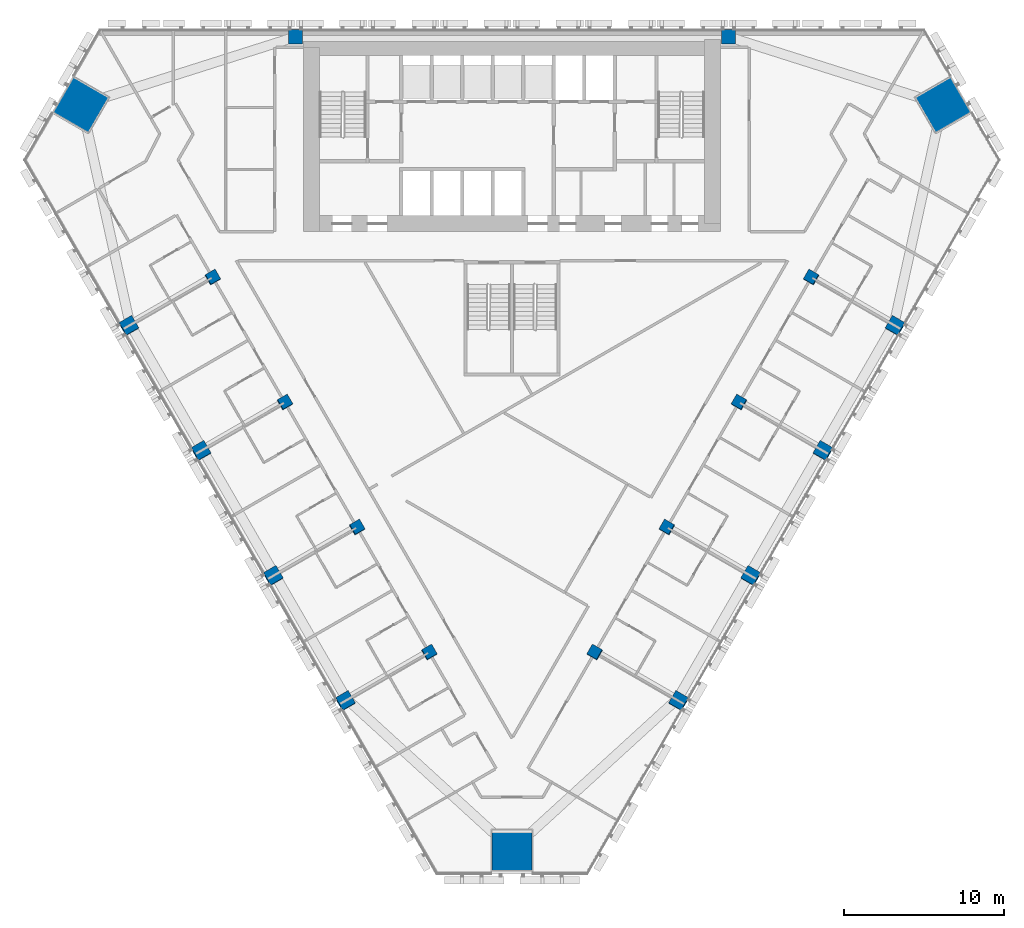
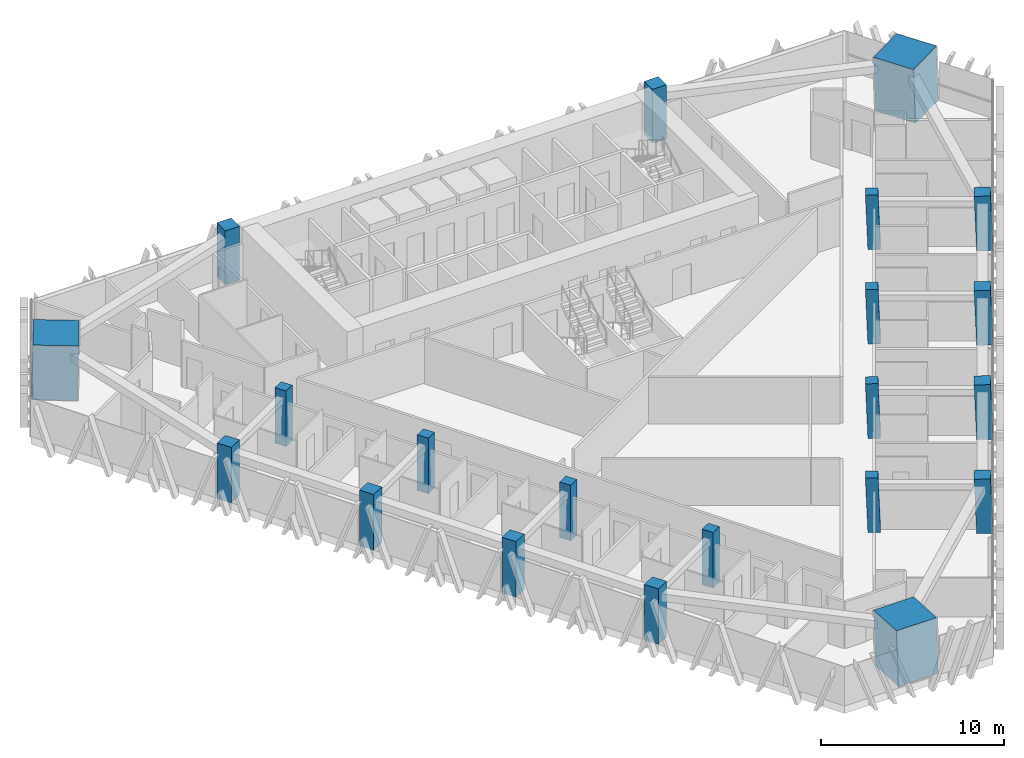
# One storey, part 1 of 17: 21 columns.
"""IFC4 building model written with IfcOpenShell, lengths in metres."""

import ifcopenshell
import ifcopenshell.guid

model = None  # the IFC model being written
_history = None  # IfcOwnerHistory: only IFC2X3 demands one
_inside = {}  # id of a spatial element -> (the spatial element, [elements in it])
_under = {}  # id of a project, library or spatial element -> (it, [spatial elements below it])
_declared = {}  # id of a project -> (the project, [libraries it declares])
_typed = {}  # id of a type object -> (the type object, [elements of that type])
_made_of = {}  # id of a material, layer set ... -> (it, [elements and type objects made of it])


def new_model(schema):
    """Start an empty IFC model of exactly this schema.

    Asked for "IFC4X3", IfcOpenShell would pick the latest addendum, in which some entities
    have other attributes; the version numbers below select the first issue.
    IFC2X3 requires an IfcOwnerHistory on every rooted entity: one is made here for all.
    """
    global model, _history
    if schema == "IFC4X3":
        model = ifcopenshell.file(schema_version=(4, 3, 0, 0))
    else:
        model = ifcopenshell.file(schema=schema)
    _inside.clear()
    _under.clear()
    _declared.clear()
    _typed.clear()
    _made_of.clear()
    _history = None
    if model.schema == "IFC2X3":
        org = make("IfcOrganization", Name="unknown")
        user = make(
            "IfcPersonAndOrganization",
            ThePerson=make("IfcPerson", FamilyName="unknown"),
            TheOrganization=org,
        )
        app = make(
            "IfcApplication",
            ApplicationDeveloper=org,
            Version="unknown",
            ApplicationFullName="unknown",
            ApplicationIdentifier="unknown",
        )
        _history = make(
            "IfcOwnerHistory",
            OwningUser=user,
            OwningApplication=app,
            ChangeAction="ADDED",
            CreationDate=0,
        )
    return model


def make(cls, **values):
    """One entity of the class cls with the attributes given. An attribute that is None is left unset."""
    return model.create_entity(
        cls, **{name: value for name, value in values.items() if value is not None}
    )


def rooted(cls, **values):
    """An entity with a GlobalId (a new one), such as an element, a storey or a relation."""
    return make(cls, GlobalId=ifcopenshell.guid.new(), OwnerHistory=_history, **values)


def si_unit(unit_type, name, prefix=None):
    """IfcSIUnit, for example si_unit("LENGTHUNIT", "METRE", prefix="MILLI")."""
    return make("IfcSIUnit", UnitType=unit_type, Prefix=prefix, Name=name)


def assignment(units):
    """IfcUnitAssignment: the units of a project."""
    return None if units is None else make("IfcUnitAssignment", Units=units)


def point(xyz):
    """IfcCartesianPoint."""
    return None if xyz is None else make("IfcCartesianPoint", Coordinates=xyz)


def direction(xyz):
    """IfcDirection."""
    return None if xyz is None else make("IfcDirection", DirectionRatios=xyz)


def frame(location, z_axis=None, x_axis=None):
    """IfcAxis2Placement3D, a coordinate frame: its origin and axes. An axis left out is left unset."""
    return make(
        "IfcAxis2Placement3D",
        Location=point(location),
        Axis=direction(z_axis),
        RefDirection=direction(x_axis),
    )


def frame_2d(location, x_axis=None):
    """IfcAxis2Placement2D, a coordinate frame in the plane: its origin and x axis."""
    return make(
        "IfcAxis2Placement2D", Location=point(location), RefDirection=direction(x_axis)
    )


def origin():
    """The frame at (0, 0, 0) with its axes left unset."""
    return frame((0.0, 0.0, 0.0))


def origin_2d():
    """The frame at (0, 0) in the plane with its x axis left unset."""
    return frame_2d((0.0, 0.0))


def place(relative_to, where):
    """IfcLocalPlacement: puts the frame where relative to a parent placement (None: the world)."""
    return make(
        "IfcLocalPlacement", PlacementRelTo=relative_to, RelativePlacement=where
    )


def context(
    kind, dimensions, precision=None, world=None, true_north=None, identifier=None
):
    """IfcGeometricRepresentationContext, for example the 3D "Model" context."""
    return make(
        "IfcGeometricRepresentationContext",
        ContextIdentifier=identifier,
        ContextType=kind,
        CoordinateSpaceDimension=dimensions,
        Precision=precision,
        WorldCoordinateSystem=world,
        TrueNorth=true_north,
    )


def subcontext(parent, identifier, kind, view, scale=None):
    """IfcGeometricRepresentationSubContext, for example "Body" below "Model"."""
    return make(
        "IfcGeometricRepresentationSubContext",
        ContextIdentifier=identifier,
        ContextType=kind,
        ParentContext=parent,
        TargetScale=scale,
        TargetView=view,
    )


def project(units=None, contexts=None):
    """IfcProject with its units and contexts."""
    return rooted(
        "IfcProject",
        Name="project",
        RepresentationContexts=contexts,
        UnitsInContext=assignment(units),
    )


def spatial(cls, under=None, at=None, **own):
    """A site, building, storey or space (cls), placed at a placement, below another one or the project."""
    s = rooted(cls, ObjectPlacement=at, **own)
    if under is not None:
        _under.setdefault(under.id(), (under, []))[1].append(s)
    return s


def profile(cls, at=None, kind="AREA", **sizes):
    """A parametric profile (cls). Its sizes go by their IFC names, for example OverallWidth=200.0."""
    return make(cls, ProfileType=kind, Position=at, **sizes)


def rectangle(**sizes):
    """IfcRectangleProfileDef."""
    return profile("IfcRectangleProfileDef", **sizes)


def extrude(swept, where, along, depth):
    """IfcExtrudedAreaSolid: the profile swept, set in the frame where, extruded along a direction by depth."""
    return make(
        "IfcExtrudedAreaSolid",
        SweptArea=swept,
        Position=where,
        ExtrudedDirection=direction(along),
        Depth=depth,
    )


def shape(context_of_items, identifier, shape_type, items):
    """IfcShapeRepresentation: the items that make up one representation, for example the "Body"."""
    return make(
        "IfcShapeRepresentation",
        ContextOfItems=context_of_items,
        RepresentationIdentifier=identifier,
        RepresentationType=shape_type,
        Items=items,
    )


def material(Name=None, Category=None):
    """IfcMaterial."""
    return make("IfcMaterial", Name=Name, Category=Category)


def material_profile(
    of_material, cross_section, Name=None, Category=None, Priority=None
):
    """IfcMaterialProfile: a cross section and its material."""
    return make(
        "IfcMaterialProfile",
        Name=Name,
        Material=of_material,
        Profile=cross_section,
        Priority=Priority,
        Category=Category,
    )


def profile_set(profiles, Name=None, composite=None):
    """IfcMaterialProfileSet."""
    return make(
        "IfcMaterialProfileSet",
        Name=Name,
        MaterialProfiles=profiles,
        CompositeProfile=composite,
    )


def made_of(thing, what):
    """Note that an element or type object is made of a material, layer set ...; save() writes the relation."""
    if what is not None:
        _made_of.setdefault(what.id(), (what, []))[1].append(thing)
    return thing


def type_object(cls, material=None, **own):
    """A type object (cls), such as IfcWallType, which elements share."""
    return made_of(rooted(cls, **own), material)


def element(
    cls,
    number,
    at=None,
    inside=None,
    cuts=None,
    type_object=None,
    material=None,
    context=None,
    identifier="Body",
    shape_type=None,
    held_by="IfcProductDefinitionShape",
    body=None,
    shapes=None,
    **own,
):
    """One element of the class cls, such as IfcWall. Its Tag is "e" and its number.

    at: its placement. inside: the storey or other place that contains it. cuts: it is an
    opening in that element (IfcRelVoidsElement). A single representation is given by context,
    identifier, shape_type and body (its items); several are given by shapes. held_by: the class
    of the entity that holds the representations. save() writes the other relations.
    """
    e = rooted(cls, Tag="e%d" % number, ObjectPlacement=at, **own)
    if body is not None:
        shapes = [shape(context, identifier, shape_type, body)]
    if shapes is not None:
        e.Representation = make(held_by, Representations=shapes)
    if inside is not None:
        _inside.setdefault(inside.id(), (inside, []))[1].append(e)
    if cuts is not None:
        rooted(
            "IfcRelVoidsElement", RelatingBuildingElement=cuts, RelatedOpeningElement=e
        )
    if type_object is not None:
        _typed.setdefault(type_object.id(), (type_object, []))[1].append(e)
    return made_of(e, material)


def aggregate(whole, parts):
    """IfcRelAggregates: a whole, such as a stair, and the parts it consists of."""
    return rooted("IfcRelAggregates", RelatingObject=whole, RelatedObjects=parts)


def save(model, path):
    """Write the relations noted so far, then the file.

    IfcRelAggregates (storeys below a building ...), IfcRelContainedInSpatialStructure (elements
    in a storey), IfcRelDefinesByType, IfcRelAssociatesMaterial and IfcRelDeclares: one each for
    every whole, place, type object, material and project.
    """
    for whole, parts in _under.values():
        aggregate(whole, parts)
    for where, things in _inside.values():
        rooted(
            "IfcRelContainedInSpatialStructure",
            RelatedElements=things,
            RelatingStructure=where,
        )
    for kind, things in _typed.values():
        rooted("IfcRelDefinesByType", RelatedObjects=things, RelatingType=kind)
    for what, things in _made_of.values():
        rooted("IfcRelAssociatesMaterial", RelatedObjects=things, RelatingMaterial=what)
    for by, libraries in _declared.values():
        rooted("IfcRelDeclares", RelatingContext=by, RelatedDefinitions=libraries)
    model.write(path)


model = new_model("IFC4")

# Units and contexts
model_context = context("Model", 3, precision=1e-05, world=origin(), true_north=direction((0.0, 1.0)))
body_context = subcontext(model_context, "Body", "Model", "MODEL_VIEW")
ifc_project = project(units=[si_unit("LENGTHUNIT", "METRE"), si_unit("AREAUNIT", "SQUARE_METRE"), si_unit("VOLUMEUNIT", "CUBIC_METRE"), si_unit("PLANEANGLEUNIT", "RADIAN"), si_unit("MASSUNIT", "GRAM", prefix="KILO")], contexts=[model_context])

# Site, building, storey
site_placement = place(None, origin())
site = spatial("IfcSite", under=ifc_project, at=site_placement, CompositionType="ELEMENT")
building_placement = place(site_placement, origin())
building = spatial("IfcBuilding", under=site, at=building_placement, Name="Altiplano Prism Tower", CompositionType="ELEMENT")
storey_placement = place(building_placement, frame((0.0, 0.0, 55.800048828125)))
storey = spatial("IfcBuildingStorey", under=building, at=storey_placement, Name="L13", CompositionType="ELEMENT", Elevation=55.800048828125)

# Columns
ifc_material_1 = material(Name="Concrete C60/75", Category="concrete")
ifc_material_profile_1 = material_profile(ifc_material_1, rectangle(XDim=0.699951171875, YDim=0.699951171875, at=origin_2d()), Name="Inner column 700")
ifc_profile_set_1 = profile_set([ifc_material_profile_1], Name="Concrete C60/75")
column_type_1 = type_object("IfcColumnType", Name="Inner column 700", PredefinedType="COLUMN", material=ifc_profile_set_1)
for number, where, z_axis, x_axis, name in (
    (1, (66.33203125, 89.548828125, -0.021240234375), (0.022222852987, 0.038483477124, 0.999012095419), (-0.865642014651, -0.499182113792, 0.038485318511), "Inner column I11 L13"),
    (2, (70.83203125, 81.754638671875, -0.021240234375), (0.022222852987, 0.038483477124, 0.999012095419), (-0.86564204084, -0.499182068467, 0.038485317347), "Inner column I12 L13"),
    (3, (75.33203125, 73.96044921875, -0.021240234375), (0.022222910879, 0.038415824599, 0.999014697916), (-0.86602133979, -0.49852764231, 0.038434735344), "Inner column I13 L13"),
    (4, (79.83203125, 66.166259765625, -0.021240234375), (0.022222910879, 0.038415824599, 0.999014697916), (-0.866021348509, -0.498527627195, 0.038434734956), "Inner column I14 L13"),
    (5, (90.16796875, 66.166259765625, -0.021240234375), (-0.022222910879, 0.038415824599, 0.999014697916), (-0.499512928921, -0.866022187559, 0.022190189194), "Inner column I21 L13"),
    (6, (94.66796875, 73.96044921875, -0.021240234375), (-0.022222910879, 0.038415824599, 0.999014697916), (-0.499512944036, -0.866022178858, 0.022190188523), "Inner column I22 L13"),
    (7, (99.16796875, 81.754638671875, -0.021240234375), (-0.022222852987, 0.038483477124, 0.999012095419), (-0.500169973044, -0.865642122652, 0.022219665955), "Inner column I23 L13"),
    (8, (103.66796875, 89.548828125, -0.021240234375), (-0.022222852987, 0.038483477124, 0.999012095419), (-0.500169988153, -0.86564211394, 0.022219665283), "Inner column I24 L13"),
):
    element("IfcColumn", number, at=place(storey_placement, frame(where, z_axis=z_axis, x_axis=x_axis)), inside=storey, type_object=column_type_1, Name=name, PredefinedType="COLUMN", context=body_context, shape_type="SweptSolid", body=[
        extrude(rectangle(XDim=0.699951171875, YDim=0.699951171875, at=origin_2d()), origin(), (0.0, 0.0, 1.0), 3.603515625),
    ])
ifc_material_2 = material(Name="Concrete C70/85", Category="concrete")
ifc_material_profile_2 = material_profile(ifc_material_2, rectangle(XDim=2.52001953125, YDim=2.52001953125, at=origin_2d()), Name="Mega column infill 2600")
ifc_profile_set_2 = profile_set([ifc_material_profile_2], Name="Concrete C70/85")
column_type_2 = type_object("IfcColumnType", Name="Mega column infill 2600", PredefinedType="COLUMN", material=ifc_profile_set_2)
column_1_placement = place(storey_placement, frame((58.07080078125, 100.28662109375, 0.0), z_axis=(0.028403739082, 0.009219352065, 0.999554016126), x_axis=(-0.865127356404, 0.501154864759, 0.019961431043)))
element("IfcColumn", 9, at=column_1_placement, inside=storey, type_object=column_type_2, Name="Mega column M0 L13", PredefinedType="COLUMN", context=body_context, shape_type="SweptSolid", body=[
    extrude(rectangle(XDim=2.52001953125, YDim=2.52001953125, at=origin_2d()), origin(), (0.0, 0.0, 1.0), 3.6015625),
])
column_2_placement = place(storey_placement, frame((85.0, 53.643798828125, 0.0), z_axis=(0.0, 0.058360852261, 0.998295552892), x_axis=(-1.0, 0.0, 0.0)))
element("IfcColumn", 10, at=column_2_placement, inside=storey, type_object=column_type_2, Name="Mega column M1 L13", PredefinedType="COLUMN", context=body_context, shape_type="SweptSolid", body=[
    extrude(rectangle(XDim=2.52001953125, YDim=2.52001953125, at=origin_2d()), origin(), (0.0, 0.0, 1.0), 3.60595703125),
])
column_3_placement = place(storey_placement, frame((111.92919921875, 100.28662109375, 0.0), z_axis=(-0.028403739082, 0.009219352065, 0.999554016126), x_axis=(0.50074732631, -0.865308502834, 0.022210585697)))
element("IfcColumn", 11, at=column_3_placement, inside=storey, type_object=column_type_2, Name="Mega column M2 L13", PredefinedType="COLUMN", context=body_context, shape_type="SweptSolid", body=[
    extrude(rectangle(XDim=2.52001953125, YDim=2.52001953125, at=origin_2d()), origin(), (0.0, 0.0, 1.0), 3.6015625),
])
ifc_material_profile_3 = material_profile(ifc_material_1, rectangle(XDim=0.89990234375, YDim=0.89990234375, at=origin_2d()), Name="Perimeter column 900")
ifc_profile_set_3 = profile_set([ifc_material_profile_3], Name="Concrete C60/75")
column_type_3 = type_object("IfcColumnType", Name="Perimeter column 900", PredefinedType="COLUMN", material=ifc_profile_set_3)
for number, where, z_axis, x_axis, name in (
    (12, (98.5, 104.550048828125, 0.0), (0.0, 0.0, 1.0), (1.0, 0.0, 0.0), "Perimeter column P01 L13"),
    (13, (71.5, 104.550048828125, 0.0), (0.0, 0.0, 1.0), (1.0, 0.0, 0.0), "Perimeter column P04 L13"),
):
    element("IfcColumn", number, at=place(storey_placement, frame(where, z_axis=z_axis, x_axis=x_axis)), inside=storey, type_object=column_type_3, Name=name, PredefinedType="COLUMN", context=body_context, shape_type="SweptSolid", body=[
        extrude(rectangle(XDim=0.89990234375, YDim=0.89990234375, at=origin_2d()), origin(), (0.0, 0.0, 1.0), 3.599853515625),
    ])
for number, where, z_axis, x_axis, name in (
    (14, (61.092529296875, 86.523681640625, -0.02734375), (0.02215369191, 0.038413282303, 0.999016333038), (-0.865364661836, -0.499669122996, 0.038402728683), "Perimeter column P11 L13"),
    (15, (65.592529296875, 78.7294921875, -0.02734375), (0.02215369191, 0.038413282303, 0.999016333038), (-0.865364679312, -0.499669092789, 0.038402727909), "Perimeter column P12 L13"),
    (16, (70.092529296875, 70.935302734375, -0.02734375), (0.02215369191, 0.038413282303, 0.999016333038), (-0.865362005459, -0.499673714439, 0.038402846323), "Perimeter column P13 L13"),
    (17, (74.592529296875, 63.140869140625, -0.02734375), (0.022153634206, 0.038480930364, 0.999013730882), (-0.864979755064, -0.500331235636, 0.038453582107), "Perimeter column P14 L13"),
    (18, (95.407470703125, 63.140869140625, -0.02734375), (-0.022153634206, 0.038480930364, 0.999013730882), (-0.501317504005, -0.864978538835, 0.022201070544), "Perimeter column P21 L13"),
    (19, (99.907470703125, 70.935302734375, -0.02734375), (-0.02215369191, 0.038413282303, 0.999016333038), (-0.500657381292, -0.865361542271, 0.022171777484), "Perimeter column P22 L13"),
    (20, (104.407470703125, 78.7294921875, -0.02734375), (-0.02215369191, 0.038413282303, 0.999016333038), (-0.500652759639, -0.865364210869, 0.022171982582), "Perimeter column P23 L13"),
    (21, (108.907470703125, 86.523681640625, -0.02734375), (-0.02215369191, 0.038413282303, 0.999016333038), (-0.500652789846, -0.865364193428, 0.022171981242), "Perimeter column P24 L13"),
):
    element("IfcColumn", number, at=place(storey_placement, frame(where, z_axis=z_axis, x_axis=x_axis)), inside=storey, type_object=column_type_3, Name=name, PredefinedType="COLUMN", context=body_context, shape_type="SweptSolid", body=[
        extrude(rectangle(XDim=0.89990234375, YDim=0.89990234375, at=origin_2d()), origin(), (0.0, 0.0, 1.0), 3.603759765625),
    ])

save(model, "model.ifc")
